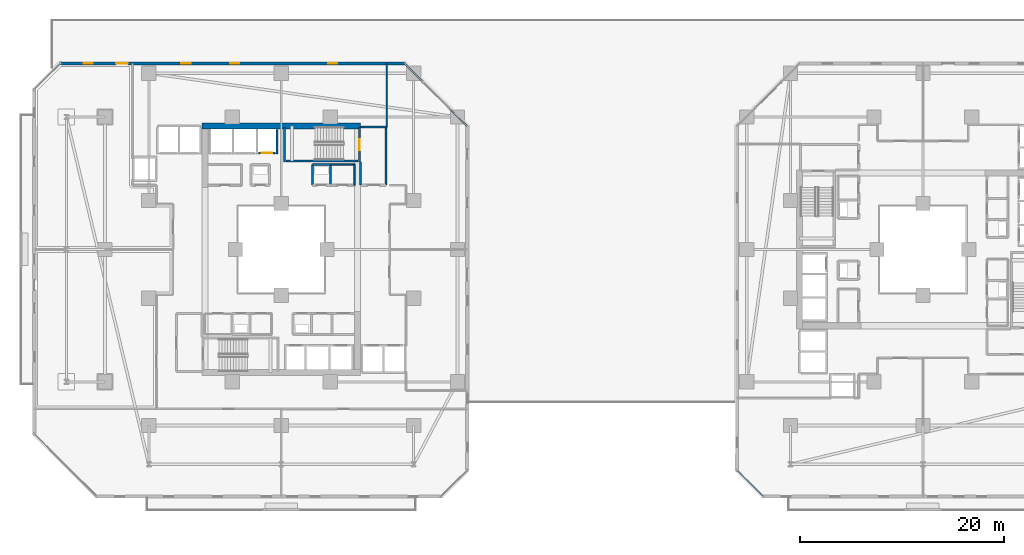
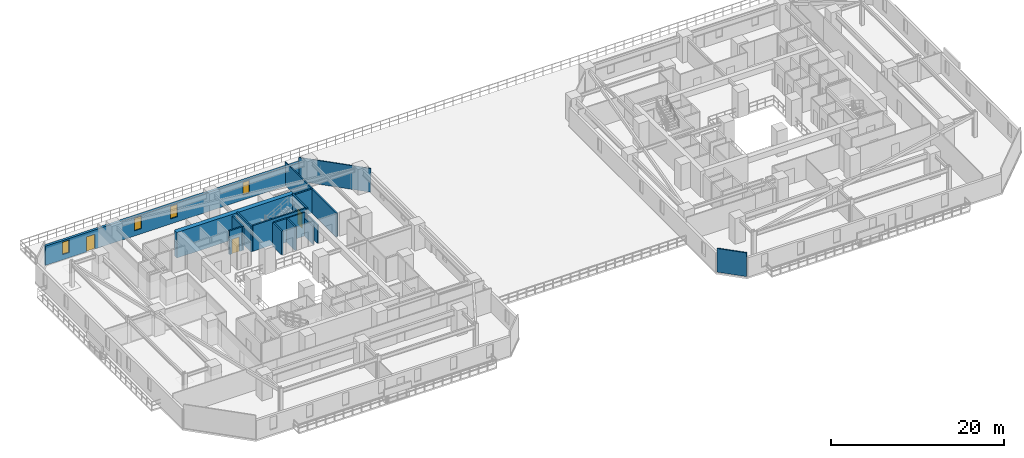
# One storey, part 21 of 34: 18 walls, 4 windows, 3 doors, 7 openings.
"""IFC4 building model written with IfcOpenShell, lengths in metres."""

from ifc_helpers import new_model, si_unit, direction, frame, frame_2d, origin, place, context, subcontext, project, spatial, rectangle, extrude, material, layer, layer_set, type_object, element, fill, save


model = new_model("IFC4")

# Units and contexts
model_context = context("Model", 3, precision=1e-05, world=origin(), true_north=direction((0.0, 1.0)))
body_context = subcontext(model_context, "Body", "Model", "MODEL_VIEW")
ifc_project = project(units=[si_unit("LENGTHUNIT", "METRE"), si_unit("AREAUNIT", "SQUARE_METRE"), si_unit("VOLUMEUNIT", "CUBIC_METRE"), si_unit("PLANEANGLEUNIT", "RADIAN"), si_unit("MASSUNIT", "GRAM", prefix="KILO")], contexts=[model_context])

# Site, building, storey
site_placement = place(None, origin())
site = spatial("IfcSite", under=ifc_project, at=site_placement, CompositionType="ELEMENT")
building_placement = place(site_placement, origin())
building = spatial("IfcBuilding", under=site, at=building_placement, Name="Thornwick Lancets Civic Towers", CompositionType="ELEMENT")
storey_placement = place(building_placement, frame((0.0, 0.0, 27.89990234375)))
storey = spatial("IfcBuildingStorey", under=building, at=storey_placement, Name="L06", CompositionType="ELEMENT", Elevation=27.89990234375)

# Wall, opening, door
ifc_material_1 = material(Name="Concrete blockwork C40/50", Category="masonry")
ifc_layer_1 = layer(ifc_material_1, 0.199951171875, Name="Concrete blockwork C40/50")
ifc_layer_set_1 = layer_set([ifc_layer_1], Name="Concrete blockwork C40/50")
wall_type_1 = type_object("IfcWallType", Name="WALL_COMP_200", PredefinedType="STANDARD", material=ifc_layer_set_1)
wall_1_placement = place(storey_placement, frame((24.919921875, 36.449951171875, 0.0), z_axis=(0.0, 0.0, 1.0), x_axis=(-1.0, 0.0, 0.0)))
wall_1 = element("IfcWall", 1, at=wall_1_placement, inside=storey, type_object=wall_type_1, Name="L06 Hoistway Front Wall FL-A2", PredefinedType="STANDARD", context=body_context, shape_type="SweptSolid", body=[
    extrude(rectangle(XDim=1.639892578125, YDim=0.199951171875, at=frame_2d((0.81982421875, 0.0))), origin(), (0.0, 0.0, 1.0), 3.340087890625),
])
opening_1_placement = place(wall_1_placement, frame((0.31005859375, 0.0, 0.0)))
opening_1 = element("IfcOpeningElement", 2, at=opening_1_placement, cuts=wall_1, Name="Opening LD-FL-A2", PredefinedType="OPENING", context=body_context, shape_type="SweptSolid", body=[
    extrude(rectangle(XDim=1.02001953125, YDim=2.06005859375, at=frame_2d((0.510009765625, 1.030029296875))), frame((0.0, 0.10986328125, 0.0), z_axis=(0.0, -1.0, 0.0), x_axis=(1.0, 0.0, 0.0)), (0.0, 0.0, 1.0), 0.219970703125),
])
ifc_material_2 = material(Name="Brushed bronze stainless steel", Category="steel")
door_type_1 = type_object("IfcDoorType", Name="DOOR_LIFT_SLIDE", OperationType="SLIDING_TO_LEFT", PredefinedType="DOOR", material=ifc_material_2)
door_1_placement = place(opening_1_placement, origin())
door_1 = element("IfcDoor", 3, at=door_1_placement, inside=storey, type_object=door_type_1, Name="L06 Sliding Lift Landing Door LD-FL-A2", OperationType="SLIDING_TO_LEFT", OverallHeight=2.06005859375, OverallWidth=1.02001953125, PredefinedType="DOOR", context=body_context, shape_type="SweptSolid", body=[
    extrude(rectangle(XDim=1.02001953125, YDim=2.06005859375, at=frame_2d((0.510009765625, 1.030029296875))), frame((0.0, 0.02490234375, 0.0), z_axis=(0.0, -1.0, 0.0), x_axis=(1.0, 0.0, 0.0)), (0.0, 0.0, 1.0), 0.050048828125),
])
fill(opening_1, door_1)

# Walls
wall_2_placement = place(storey_placement, frame((25.10009765625, 36.35205078125, 0.0), z_axis=(0.0, 0.0, 1.0), x_axis=(0.0, 1.0, 0.0)))
element("IfcWall", 4, at=wall_2_placement, inside=storey, type_object=wall_type_1, Name="L06 Hoistway Shaft Wall FL-A2 E", PredefinedType="STANDARD", context=body_context, shape_type="SweptSolid", body=[
    extrude(rectangle(XDim=2.43603515625, YDim=0.199951171875, at=frame_2d((1.218017578125, 0.0))), origin(), (0.0, 0.0, 1.0), 3.340087890625),
])
wall_3_placement = place(storey_placement, frame((35.800048828125, 33.300048828125, 0.0), z_axis=(0.0, 0.0, 1.0), x_axis=(0.0, 1.0, 0.0)))
element("IfcWall", 5, at=wall_3_placement, inside=storey, type_object=wall_type_1, Name="L06 Partition L06-A-FFLOB2 E2", PredefinedType="STANDARD", context=body_context, shape_type="SweptSolid", body=[
    extrude(rectangle(XDim=5.699951171875, YDim=0.199951171875, at=frame_2d((2.85009765625, 0.0))), origin(), (0.0, 0.0, 1.0), 3.340087890625),
])
wall_4_placement = place(storey_placement, frame((35.800048828125, 39.0, 0.0), z_axis=(0.0, 0.0, 1.0), x_axis=(-1.0, 0.0, 0.0)))
element("IfcWall", 6, at=wall_4_placement, inside=storey, type_object=wall_type_1, Name="L06 Partition L06-A-FFLOB2 E3", PredefinedType="STANDARD", context=body_context, shape_type="SweptSolid", body=[
    extrude(rectangle(XDim=2.5, YDim=0.199951171875, at=frame_2d((1.25, 0.0))), origin(), (0.0, 0.0, 1.0), 3.340087890625),
])
wall_5_placement = place(storey_placement, frame((33.300048828125, 35.60009765625, 0.0), z_axis=(0.0, 0.0, 1.0), x_axis=(0.0, -1.0, 0.0)))
element("IfcWall", 7, at=wall_5_placement, inside=storey, type_object=wall_type_1, Name="L06 Partition L06-A-FFLOB2 E4", PredefinedType="STANDARD", context=body_context, shape_type="SweptSolid", body=[
    extrude(rectangle(XDim=2.300048828125, YDim=0.199951171875, at=frame_2d((1.14990234375, 0.0))), origin(), (0.0, 0.0, 1.0), 2.545166015625),
])
wall_6_placement = place(storey_placement, frame((30.35009765625, 33.300048828125, 0.0), z_axis=(0.0, 0.0, 1.0), x_axis=(0.0, 1.0, 0.0)))
element("IfcWall", 8, at=wall_6_placement, inside=storey, type_object=wall_type_1, Name="L06 Partition L06-A-RISER2 E2", PredefinedType="STANDARD", context=body_context, shape_type="SweptSolid", body=[
    extrude(rectangle(XDim=2.050048828125, YDim=0.199951171875, at=frame_2d((1.02490234375, 0.0))), origin(), (0.0, 0.0, 1.0), 3.340087890625),
])
wall_7_placement = place(storey_placement, frame((30.35009765625, 35.35009765625, 0.0), z_axis=(0.0, 0.0, 1.0), x_axis=(-1.0, 0.0, 0.0)))
element("IfcWall", 9, at=wall_7_placement, inside=storey, type_object=wall_type_1, Name="L06 Partition L06-A-RISER2 E3", PredefinedType="STANDARD", context=body_context, shape_type="SweptSolid", body=[
    extrude(rectangle(XDim=1.800048828125, YDim=0.199951171875, at=frame_2d((0.89990234375, 0.0))), origin(), (0.0, 0.0, 1.0), 3.340087890625),
])
wall_8_placement = place(storey_placement, frame((28.550048828125, 35.35009765625, 0.0), z_axis=(0.0, 0.0, 1.0), x_axis=(0.0, -1.0, 0.0)))
element("IfcWall", 10, at=wall_8_placement, inside=storey, type_object=wall_type_1, Name="L06 Partition L06-A-RISER2 E4", PredefinedType="STANDARD", context=body_context, shape_type="SweptSolid", body=[
    extrude(rectangle(XDim=2.050048828125, YDim=0.199951171875, at=frame_2d((1.02490234375, 0.0))), origin(), (0.0, 0.0, 1.0), 3.340087890625),
])
ifc_material_3 = material(Name="Concrete C60/75", Category="concrete")
ifc_layer_2 = layer(ifc_material_3, 0.60009765625, Name="Concrete C60/75")
ifc_layer_set_2 = layer_set([ifc_layer_2], Name="Concrete C60/75")
wall_type_2 = type_object("IfcWallType", Name="WALL_CORE_600", PredefinedType="SHEAR", material=ifc_layer_set_2)
wall_9_placement = place(storey_placement, frame((17.699951171875, 39.10009765625, 0.0), z_axis=(0.0, 0.0, 1.0), x_axis=(1.0, 0.0, 0.0)))
element("IfcWall", 11, at=wall_9_placement, inside=storey, type_object=wall_type_2, Name="L06 Split Core A2 Shear Wall N", PredefinedType="SHEAR", context=body_context, shape_type="SweptSolid", body=[
    extrude(rectangle(XDim=15.60009765625, YDim=0.60009765625, at=frame_2d((7.800048828125, 0.0))), origin(), (0.0, 0.0, 1.0), 3.60009765625),
])

# Wall, openings, door, windows
ifc_material_4 = material(Name="Insulated buff terracotta rainscreen on concrete C40/50", Category="masonry")
ifc_layer_3 = layer(ifc_material_4, 0.320068359375, Name="Insulated buff terracotta rainscreen on concrete C40/50")
ifc_layer_set_3 = layer_set([ifc_layer_3], Name="Insulated buff terracotta rainscreen on concrete C40/50")
wall_type_3 = type_object("IfcWallType", Name="WALL_EXT_TERRA_320", PredefinedType="STANDARD", material=ifc_layer_set_3)
wall_10_placement = place(storey_placement, frame((37.595703125, 45.25341796875, 0.0), z_axis=(0.0, 0.0, 1.0), x_axis=(-0.999999942296, 0.000339718087, 0.0)))
wall_10 = element("IfcWall", 12, at=wall_10_placement, inside=storey, type_object=wall_type_3, Name="L06 Tower A Terracotta Facade Wall E4", PredefinedType="STANDARD", context=body_context, shape_type="SweptSolid", body=[
    extrude(rectangle(XDim=33.77685546875, YDim=0.320068359375, at=frame_2d((16.888427734375, 0.0))), origin(), (0.0, 0.0, 1.0), 2.7001953125),
])
opening_2_placement = place(wall_10_placement, frame((27.16357421875, 0.0, 0.0)))
opening_2 = element("IfcOpeningElement", 13, at=opening_2_placement, cuts=wall_10, Name="Opening D-PR-A4", PredefinedType="OPENING", context=body_context, shape_type="SweptSolid", body=[
    extrude(rectangle(XDim=1.14990234375, YDim=2.10009765625, at=frame_2d((0.574951171875, 1.050048828125))), frame((0.0, 0.169921875, 0.0), z_axis=(0.0, -1.0, 0.0), x_axis=(1.0, 0.0, 0.0)), (0.0, 0.0, 1.0), 0.340087890625),
])
opening_3_placement = place(wall_10_placement, frame((6.60009765625, 0.0, 0.719970703125)))
opening_3 = element("IfcOpeningElement", 14, at=opening_3_placement, cuts=wall_10, Name="Opening WL-01", PredefinedType="OPENING", context=body_context, shape_type="SweptSolid", body=[
    extrude(rectangle(XDim=0.89990234375, YDim=1.75, at=frame_2d((0.449951171875, 0.875))), frame((0.0, 0.169921875, 0.0), z_axis=(0.0, -1.0, 0.0), x_axis=(1.0, 0.0, 0.0)), (0.0, 0.0, 1.0), 0.340087890625),
])
opening_4_placement = place(wall_10_placement, frame((16.199951171875, 0.0, 0.719970703125)))
opening_4 = element("IfcOpeningElement", 15, at=opening_4_placement, cuts=wall_10, Name="Opening WL-01", PredefinedType="OPENING", context=body_context, shape_type="SweptSolid", body=[
    extrude(rectangle(XDim=0.89990234375, YDim=1.75, at=frame_2d((0.449951171875, 0.875))), frame((0.0, 0.169921875, 0.0), z_axis=(0.0, -1.0, 0.0), x_axis=(1.0, 0.0, 0.0)), (0.0, 0.0, 1.0), 0.340087890625),
])
opening_5_placement = place(wall_10_placement, frame((21.0, 0.0, 0.719970703125)))
opening_5 = element("IfcOpeningElement", 16, at=opening_5_placement, cuts=wall_10, Name="Opening WL-01", PredefinedType="OPENING", context=body_context, shape_type="SweptSolid", body=[
    extrude(rectangle(XDim=0.89990234375, YDim=1.75, at=frame_2d((0.449951171875, 0.875))), frame((0.0, 0.169921875, 0.0), z_axis=(0.0, -1.0, 0.0), x_axis=(1.0, 0.0, 0.0)), (0.0, 0.0, 1.0), 0.340087890625),
])
opening_6_placement = place(wall_10_placement, frame((30.60009765625, 0.0, 0.719970703125)))
opening_6 = element("IfcOpeningElement", 17, at=opening_6_placement, cuts=wall_10, Name="Opening WL-01", PredefinedType="OPENING", context=body_context, shape_type="SweptSolid", body=[
    extrude(rectangle(XDim=0.89990234375, YDim=1.75, at=frame_2d((0.449951171875, 0.875))), frame((0.0, 0.169921875, 0.0), z_axis=(0.0, -1.0, 0.0), x_axis=(1.0, 0.0, 0.0)), (0.0, 0.0, 1.0), 0.340087890625),
])
ifc_material_5 = material(Name="Thermally broken glazed terrace doorset")
door_type_2 = type_object("IfcDoorType", Name="DOOR_TERRACE_1200", OperationType="NOTDEFINED", PredefinedType="DOOR", material=ifc_material_5)
door_2_placement = place(opening_2_placement, origin())
door_2 = element("IfcDoor", 18, at=door_2_placement, inside=storey, type_object=door_type_2, Name="L06 Tower A Podium Roof Garden Door 4", OperationType="SINGLE_SWING_RIGHT", OverallHeight=2.10009765625, OverallWidth=1.14990234375, PredefinedType="DOOR", context=body_context, shape_type="SweptSolid", body=[
    extrude(rectangle(XDim=1.14990234375, YDim=2.10009765625, at=frame_2d((0.574951171875, 1.050048828125))), frame((0.0, 0.02490234375, 0.0), z_axis=(0.0, -1.0, 0.0), x_axis=(1.0, 0.0, 0.0)), (0.0, 0.0, 1.0), 0.050048828125),
])
fill(opening_2, door_2)
ifc_material_6 = material(Name="Clear low-e double glazing in bronze frame", Category="glass")
window_type = type_object("IfcWindowType", Name="WIN_LANCET_900", PartitioningType="SINGLE_PANEL", PredefinedType="WINDOW", material=ifc_material_6)
window_1_placement = place(opening_3_placement, origin())
window_1 = element("IfcWindow", 19, at=window_1_placement, inside=storey, type_object=window_type, Name="L06 Tower A Staggered Lancet Window E4-1", OverallHeight=1.75, OverallWidth=0.89990234375, PartitioningType="SINGLE_PANEL", PredefinedType="WINDOW", context=body_context, shape_type="SweptSolid", body=[
    extrude(rectangle(XDim=0.89990234375, YDim=1.75, at=frame_2d((0.449951171875, 0.875))), frame((0.0, 0.030029296875, 0.0), z_axis=(0.0, -1.0, 0.0), x_axis=(1.0, 0.0, 0.0)), (0.0, 0.0, 1.0), 0.06005859375),
])
fill(opening_3, window_1)
window_2_placement = place(opening_4_placement, origin())
window_2 = element("IfcWindow", 20, at=window_2_placement, inside=storey, type_object=window_type, Name="L06 Tower A Staggered Lancet Window E4-2", OverallHeight=1.75, OverallWidth=0.89990234375, PartitioningType="SINGLE_PANEL", PredefinedType="WINDOW", context=body_context, shape_type="SweptSolid", body=[
    extrude(rectangle(XDim=0.89990234375, YDim=1.75, at=frame_2d((0.449951171875, 0.875))), frame((0.0, 0.030029296875, 0.0), z_axis=(0.0, -1.0, 0.0), x_axis=(1.0, 0.0, 0.0)), (0.0, 0.0, 1.0), 0.06005859375),
])
fill(opening_4, window_2)
window_3_placement = place(opening_5_placement, origin())
window_3 = element("IfcWindow", 21, at=window_3_placement, inside=storey, type_object=window_type, Name="L06 Tower A Staggered Lancet Window E4-3", OverallHeight=1.75, OverallWidth=0.89990234375, PartitioningType="SINGLE_PANEL", PredefinedType="WINDOW", context=body_context, shape_type="SweptSolid", body=[
    extrude(rectangle(XDim=0.89990234375, YDim=1.75, at=frame_2d((0.449951171875, 0.875))), frame((0.0, 0.030029296875, 0.0), z_axis=(0.0, -1.0, 0.0), x_axis=(1.0, 0.0, 0.0)), (0.0, 0.0, 1.0), 0.06005859375),
])
fill(opening_5, window_3)
window_4_placement = place(opening_6_placement, origin())
window_4 = element("IfcWindow", 22, at=window_4_placement, inside=storey, type_object=window_type, Name="L06 Tower A Staggered Lancet Window E4-4", OverallHeight=1.75, OverallWidth=0.89990234375, PartitioningType="SINGLE_PANEL", PredefinedType="WINDOW", context=body_context, shape_type="SweptSolid", body=[
    extrude(rectangle(XDim=0.89990234375, YDim=1.75, at=frame_2d((0.449951171875, 0.875))), frame((0.0, 0.030029296875, 0.0), z_axis=(0.0, -1.0, 0.0), x_axis=(1.0, 0.0, 0.0)), (0.0, 0.0, 1.0), 0.06005859375),
])
fill(opening_6, window_4)

# Walls
ifc_material_7 = material(Name="Acoustic gypsum board partition")
ifc_layer_4 = layer(ifc_material_7, 0.1201171875, Name="Acoustic gypsum board partition")
ifc_layer_set_4 = layer_set([ifc_layer_4], Name="Acoustic gypsum board partition")
wall_type_4 = type_object("IfcWallType", Name="WALL_PART_120", PredefinedType="PARTITIONING", material=ifc_layer_set_4)
wall_11_placement = place(storey_placement, frame((35.85009765625, 39.0, 0.0), z_axis=(0.0, 0.0, 1.0), x_axis=(0.0, 1.0, 0.0)))
element("IfcWall", 23, at=wall_11_placement, inside=storey, type_object=wall_type_4, Name="L06 Partition L06-A-E2 E5", PredefinedType="PARTITIONING", context=body_context, shape_type="SweptSolid", body=[
    extrude(rectangle(XDim=6.219970703125, YDim=0.1201171875, at=frame_2d((3.10986328125, 0.0))), origin(), (0.0, 0.0, 1.0), 3.340087890625),
])
wall_12_placement = place(storey_placement, frame((37.62548828125, 45.219970703125, 0.0), z_axis=(0.0, 0.0, 1.0), x_axis=(0.707106781187, -0.707106781187, 0.0)))
element("IfcWall", 24, at=wall_12_placement, inside=storey, type_object=wall_type_4, Name="L06 Partition L06-A-E2 E7", PredefinedType="PARTITIONING", context=body_context, shape_type="SweptSolid", body=[
    extrude(rectangle(XDim=8.618896484375, YDim=0.1201171875, at=frame_2d((4.3095703125, 0.0))), origin(), (0.0, 0.0, 1.0), 3.340087890625),
])
ifc_material_8 = material(Name="Twin-stud acoustic gypsum board")
ifc_layer_5 = layer(ifc_material_8, 0.14990234375, Name="Twin-stud acoustic gypsum board")
ifc_layer_set_5 = layer_set([ifc_layer_5], Name="Twin-stud acoustic gypsum board")
wall_type_5 = type_object("IfcWallType", Name="WALL_PART_150", PredefinedType="PARTITIONING", material=ifc_layer_set_5)
wall_13_placement = place(storey_placement, frame((32.699951171875, 35.35009765625, 0.0), z_axis=(0.0, 0.0, 1.0), x_axis=(0.0, -1.0, 0.0)))
element("IfcWall", 25, at=wall_13_placement, inside=storey, type_object=wall_type_5, Name="L06 Partition L06-A-FWC E1", PredefinedType="PARTITIONING", context=body_context, shape_type="SweptSolid", body=[
    extrude(rectangle(XDim=2.050048828125, YDim=0.14990234375, at=frame_2d((1.02490234375, 0.0))), origin(), (0.0, 0.0, 1.0), 2.545166015625),
])
wall_14_placement = place(storey_placement, frame((30.35009765625, 35.35009765625, 0.0), z_axis=(0.0, 0.0, 1.0), x_axis=(1.0, 0.0, 0.0)))
element("IfcWall", 26, at=wall_14_placement, inside=storey, type_object=wall_type_5, Name="L06 Partition L06-A-FWC E4", PredefinedType="PARTITIONING", context=body_context, shape_type="SweptSolid", body=[
    extrude(rectangle(XDim=2.349853515625, YDim=0.14990234375, at=frame_2d((1.1748046875, 0.0))), origin(), (0.0, 0.0, 1.0), 3.340087890625),
])
wall_15_placement = place(storey_placement, frame((72.774658203125, 2.780029296875, 0.0), z_axis=(0.0, 0.0, 1.0), x_axis=(-0.707106781187, 0.707106781187, 0.0)))
element("IfcWall", 27, at=wall_15_placement, inside=storey, type_object=wall_type_5, Name="L06 Partition L06-B-W2 E7", PredefinedType="PARTITIONING", context=body_context, shape_type="SweptSolid", body=[
    extrude(rectangle(XDim=3.52783203125, YDim=0.14990234375, at=frame_2d((1.763916015625, 0.0))), origin(), (0.0, 0.0, 1.0), 3.340087890625),
])

# Wall, opening, door
ifc_material_9 = material(Name="Concrete C40/50", Category="concrete")
ifc_layer_6 = layer(ifc_material_9, 0.199951171875, Name="Concrete C40/50")
ifc_layer_set_6 = layer_set([ifc_layer_6], Name="Concrete C40/50")
wall_type_6 = type_object("IfcWallType", Name="WALL_SHAFT_200", PredefinedType="SHEAR", material=ifc_layer_set_6)
wall_16_placement = place(storey_placement, frame((33.199951171875, 38.949951171875, 0.0), z_axis=(0.0, 0.0, 1.0), x_axis=(0.0, -1.0, 0.0)))
wall_16 = element("IfcWall", 28, at=wall_16_placement, inside=storey, type_object=wall_type_6, Name="L06 ST-A2 Fire Stair Core Wall NEAR", PredefinedType="SHEAR", context=body_context, shape_type="SweptSolid", body=[
    extrude(rectangle(XDim=3.349853515625, YDim=0.199951171875, at=frame_2d((1.6748046875, 0.0))), origin(), (0.0, 0.0, 1.0), 3.60009765625),
])
opening_7_placement = place(wall_16_placement, frame((1.125, 0.0, 0.0)))
opening_7 = element("IfcOpeningElement", 29, at=opening_7_placement, cuts=wall_16, Name="Opening D-ST-A2-L06", PredefinedType="OPENING", context=body_context, shape_type="SweptSolid", body=[
    extrude(rectangle(XDim=1.10009765625, YDim=2.10009765625, at=frame_2d((0.550048828125, 1.050048828125))), frame((0.0, 0.10986328125, 0.0), z_axis=(0.0, -1.0, 0.0), x_axis=(1.0, 0.0, 0.0)), (0.0, 0.0, 1.0), 0.219970703125),
])
ifc_material_10 = material(Name="Fire-resisting steel and hardwood", Category="steel")
door_type_3 = type_object("IfcDoorType", Name="DOOR_STAIR_FD60", OperationType="NOTDEFINED", PredefinedType="DOOR", material=ifc_material_10)
door_3_placement = place(opening_7_placement, origin())
door_3 = element("IfcDoor", 30, at=door_3_placement, inside=storey, type_object=door_type_3, Name="L06 ST-A2 Exit Stair Door", OperationType="SINGLE_SWING_LEFT", OverallHeight=2.10009765625, OverallWidth=1.10009765625, PredefinedType="DOOR", context=body_context, shape_type="SweptSolid", body=[
    extrude(rectangle(XDim=1.10009765625, YDim=2.10009765625, at=frame_2d((0.550048828125, 1.050048828125))), frame((0.0, 0.02490234375, 0.0), z_axis=(0.0, -1.0, 0.0), x_axis=(1.0, 0.0, 0.0)), (0.0, 0.0, 1.0), 0.050048828125),
])
fill(opening_7, door_3)

# Walls
wall_17_placement = place(storey_placement, frame((25.800048828125, 35.60009765625, 0.0), z_axis=(0.0, 0.0, 1.0), x_axis=(0.0, 1.0, 0.0)))
element("IfcWall", 31, at=wall_17_placement, inside=storey, type_object=wall_type_6, Name="L06 ST-A2 Fire Stair Core Wall FAR", PredefinedType="SHEAR", context=body_context, shape_type="SweptSolid", body=[
    extrude(rectangle(XDim=3.349853515625, YDim=0.199951171875, at=frame_2d((1.6748046875, 0.0))), origin(), (0.0, 0.0, 1.0), 3.60009765625),
])
wall_18_placement = place(storey_placement, frame((25.949951171875, 35.702880859375, 0.0), z_axis=(0.0, 0.0, 1.0), x_axis=(1.0, 0.0, 0.0)))
element("IfcWall", 32, at=wall_18_placement, inside=storey, type_object=wall_type_6, Name="L06 ST-A2 Fire Stair Core Wall RIGHT", PredefinedType="SHEAR", context=body_context, shape_type="SweptSolid", body=[
    extrude(rectangle(XDim=7.10009765625, YDim=0.199951171875, at=frame_2d((3.550048828125, 0.0))), origin(), (0.0, 0.0, 1.0), 3.60009765625),
])

save(model, "model.ifc")
